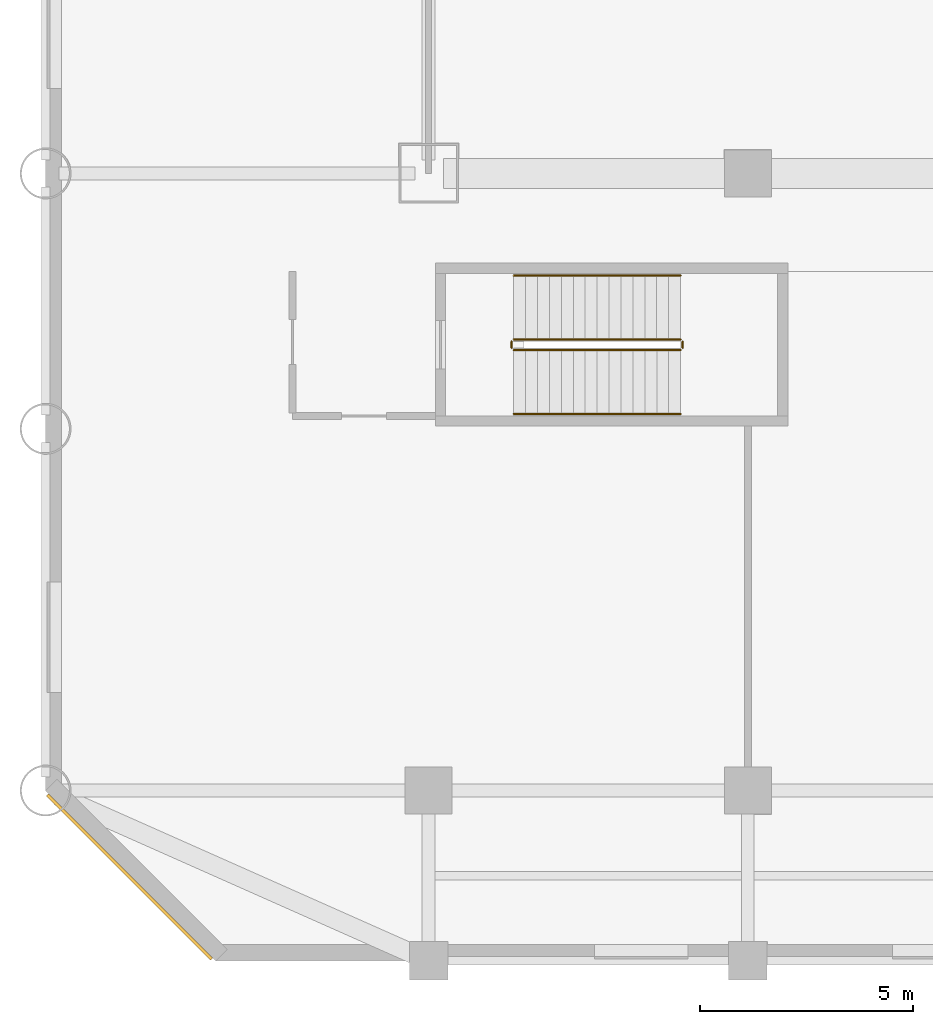
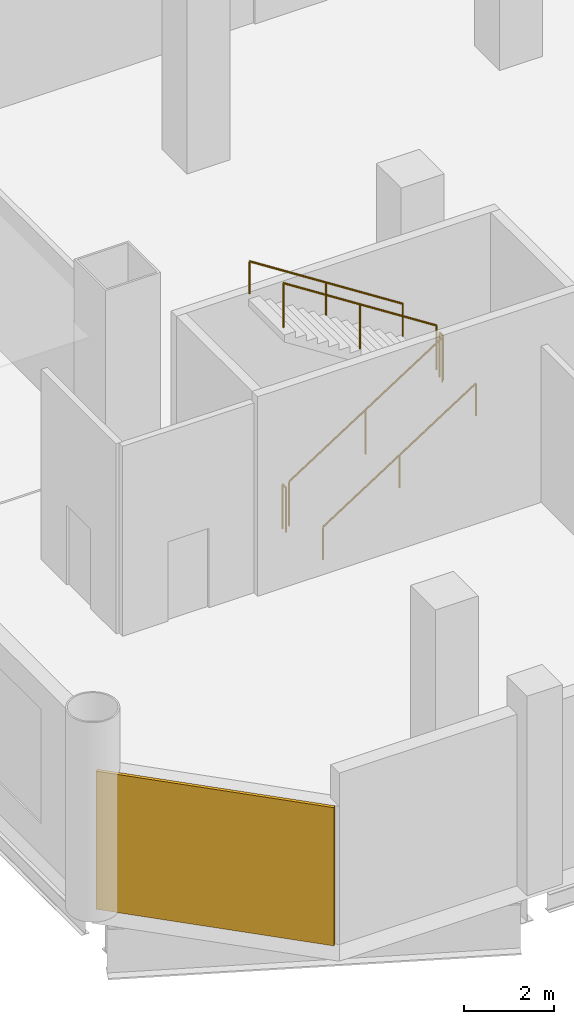
# One storey, part 7 of 10: 6 railings, 1 covering.
"""IFC4 building model written with IfcOpenShell, lengths in metres."""

from ifc_helpers import new_model, si_unit, direction, frame, origin, origin_2d, place, context, subcontext, project, spatial, rectangle, circle, extrude, material, layer, layer_set, type_object, element, save


model = new_model("IFC4")

# Units and contexts
model_context = context("Model", 3, precision=1e-05, world=origin(), true_north=direction((0.0, 1.0)))
body_context = subcontext(model_context, "Body", "Model", "MODEL_VIEW")
ifc_project = project(units=[si_unit("LENGTHUNIT", "METRE"), si_unit("AREAUNIT", "SQUARE_METRE"), si_unit("VOLUMEUNIT", "CUBIC_METRE"), si_unit("PLANEANGLEUNIT", "RADIAN"), si_unit("MASSUNIT", "GRAM", prefix="KILO")], contexts=[model_context])

# Site, building, storey
site_placement = place(None, origin())
site = spatial("IfcSite", under=ifc_project, at=site_placement, CompositionType="ELEMENT")
building_placement = place(site_placement, origin())
building = spatial("IfcBuilding", under=site, at=building_placement, Name="Qianrong Seaharbour Tower", CompositionType="ELEMENT")
storey_placement = place(building_placement, frame((0.0, 0.0, 17.39990234375)))
storey = spatial("IfcBuildingStorey", under=building, at=storey_placement, Name="L04", CompositionType="ELEMENT", Elevation=17.39990234375)

# Covering
ifc_material_1 = material(Name="Unitised red brick cladding on Precast concrete C45/55", Category="masonry")
ifc_layer = layer(ifc_material_1, 0.080078125)
ifc_layer_set = layer_set([ifc_layer], Name="Unitised red brick cladding on Precast concrete C45/55")
covering_type = type_object("IfcCoveringType", Name="COV-CLAD-RED-BRICK-80", PredefinedType="CLADDING", material=ifc_layer_set)
covering_placement = place(storey_placement, frame((1.9716796875, 1.9716796875, 0.0), z_axis=(0.0, 0.0, 1.0), x_axis=(-0.707106781187, 0.707106781187, 0.0)))
element("IfcCovering", 1, at=covering_placement, inside=storey, type_object=covering_type, Name="L04 Chamfer Corner Brick Cladding 07", PredefinedType="CLADDING", context=body_context, shape_type="SweptSolid", body=[
    extrude(rectangle(XDim=5.456787109375, YDim=0.080078125, at=origin_2d()), origin(), (0.0, 0.0, 1.0), 3.739990234375),
])

# Railings
ifc_material_2 = material(Name="Galvanized painted steel SN400B stair guard", Category="steel")
railing_type_1 = type_object("IfcRailingType", Name="RAIL-STAIR-GUARD-1220", PredefinedType="GUARDRAIL", material=ifc_material_2)
railing_1_placement = place(storey_placement, frame((11.0, 14.35009765625, 0.18017578125)))
element("IfcRailing", 2, at=railing_1_placement, inside=storey, type_object=railing_type_1, Name="L04 PST-3 stair guard 1", PredefinedType="GUARDRAIL", context=body_context, shape_type="SweptSolid", body=[
    extrude(circle(Radius=0.02392578125, at=origin_2d()), frame((0.0, 0.0, 1.19580078125), z_axis=(0.841171666519, 0.0, 0.540768182723), x_axis=(0.0, 1.0, 0.0)), (0.0, 0.0, 1.0), 4.66015625),
    extrude(circle(Radius=0.02099609375, at=origin_2d()), origin(), (0.0, 0.0, 1.0), 1.171875),
    extrude(circle(Radius=0.02099609375, at=origin_2d()), frame((1.9599609375, 0.0, 1.260009765625)), (0.0, 0.0, 1.0), 1.171875),
    extrude(circle(Radius=0.02099609375, at=origin_2d()), frame((3.919921875, 0.0, 2.52001953125)), (0.0, 0.0, 1.0), 1.171875),
])
railing_2_placement = place(storey_placement, frame((14.969970703125, 14.39990234375, 2.7001953125)))
element("IfcRailing", 3, at=railing_2_placement, inside=storey, type_object=railing_type_1, Name="L04 PST-3 stair guard 2", PredefinedType="GUARDRAIL", context=body_context, shape_type="SweptSolid", body=[
    extrude(circle(Radius=0.02392578125, at=origin_2d()), frame((0.0, 0.0, 1.19580078125), z_axis=(0.0, 1.0, 0.0), x_axis=(-1.0, 0.0, 0.0)), (0.0, 0.0, 1.0), 0.150146484375),
    extrude(circle(Radius=0.02099609375, at=origin_2d()), origin(), (0.0, 0.0, 1.0), 1.171875),
    extrude(circle(Radius=0.02099609375, at=origin_2d()), frame((0.0, 0.150146484375, 0.0)), (0.0, 0.0, 1.0), 1.171875),
])
railing_3_placement = place(storey_placement, frame((14.919921875, 14.60009765625, 2.880126953125)))
element("IfcRailing", 4, at=railing_3_placement, inside=storey, type_object=railing_type_1, Name="L04 PST-3 stair guard 3", PredefinedType="GUARDRAIL", context=body_context, shape_type="SweptSolid", body=[
    extrude(circle(Radius=0.02392578125, at=origin_2d()), frame((0.0, 0.0, 1.19580078125), z_axis=(-0.841171666519, 0.0, 0.540768182723), x_axis=(0.0, -1.0, 0.0)), (0.0, 0.0, 1.0), 4.66015625),
    extrude(circle(Radius=0.02099609375, at=origin_2d()), origin(), (0.0, 0.0, 1.0), 1.171875),
    extrude(circle(Radius=0.02099609375, at=origin_2d()), frame((-1.9599609375, 0.0, 1.260009765625)), (0.0, 0.0, 1.0), 1.171875),
    extrude(circle(Radius=0.02099609375, at=origin_2d()), frame((-3.919921875, 0.0, 2.52001953125)), (0.0, 0.0, 1.0), 1.171875),
])
railing_4_placement = place(storey_placement, frame((10.949951171875, 14.39990234375, 0.0)))
element("IfcRailing", 5, at=railing_4_placement, inside=storey, type_object=railing_type_1, Name="L04 PST-3 stair guard 4", PredefinedType="GUARDRAIL", context=body_context, shape_type="SweptSolid", body=[
    extrude(circle(Radius=0.02392578125, at=origin_2d()), frame((0.0, 0.0, 1.19580078125), z_axis=(0.0, 1.0, 0.0), x_axis=(-1.0, 0.0, 0.0)), (0.0, 0.0, 1.0), 0.150146484375),
    extrude(circle(Radius=0.02099609375, at=origin_2d()), origin(), (0.0, 0.0, 1.0), 1.171875),
    extrude(circle(Radius=0.02099609375, at=origin_2d()), frame((0.0, 0.150146484375, 0.0)), (0.0, 0.0, 1.0), 1.171875),
])
ifc_material_3 = material(Name="Stainless steel SUS316L continuous handrail", Category="steel")
railing_type_2 = type_object("IfcRailingType", Name="RAIL-STAIR-HANDRAIL-900", PredefinedType="HANDRAIL", material=ifc_material_3)
railing_5_placement = place(storey_placement, frame((11.0, 12.85009765625, 0.18017578125)))
element("IfcRailing", 6, at=railing_5_placement, inside=storey, type_object=railing_type_2, Name="L04 PST-3 stair handrail 1", PredefinedType="HANDRAIL", context=body_context, shape_type="SweptSolid", body=[
    extrude(circle(Radius=0.02392578125, at=origin_2d()), frame((0.0, 0.0, 0.8759765625), z_axis=(0.841171666519, 0.0, 0.540768182723), x_axis=(0.0, 1.0, 0.0)), (0.0, 0.0, 1.0), 4.66015625),
    extrude(circle(Radius=0.02099609375, at=origin_2d()), origin(), (0.0, 0.0, 1.0), 0.851806640625),
    extrude(circle(Radius=0.02099609375, at=origin_2d()), frame((1.9599609375, 0.0, 1.260009765625)), (0.0, 0.0, 1.0), 0.851806640625),
    extrude(circle(Radius=0.02099609375, at=origin_2d()), frame((3.919921875, 0.0, 2.52001953125)), (0.0, 0.0, 1.0), 0.851806640625),
])
railing_6_placement = place(storey_placement, frame((14.919921875, 16.10009765625, 2.880126953125)))
element("IfcRailing", 7, at=railing_6_placement, inside=storey, type_object=railing_type_2, Name="L04 PST-3 stair handrail 2", PredefinedType="HANDRAIL", context=body_context, shape_type="SweptSolid", body=[
    extrude(circle(Radius=0.02392578125, at=origin_2d()), frame((0.0, 0.0, 0.8759765625), z_axis=(-0.841171666519, 0.0, 0.540768182723), x_axis=(0.0, -1.0, 0.0)), (0.0, 0.0, 1.0), 4.66015625),
    extrude(circle(Radius=0.02099609375, at=origin_2d()), origin(), (0.0, 0.0, 1.0), 0.851806640625),
    extrude(circle(Radius=0.02099609375, at=origin_2d()), frame((-1.9599609375, 0.0, 1.260009765625)), (0.0, 0.0, 1.0), 0.851806640625),
    extrude(circle(Radius=0.02099609375, at=origin_2d()), frame((-3.919921875, 0.0, 2.52001953125)), (0.0, 0.0, 1.0), 0.851806640625),
])

save(model, "model.ifc")
